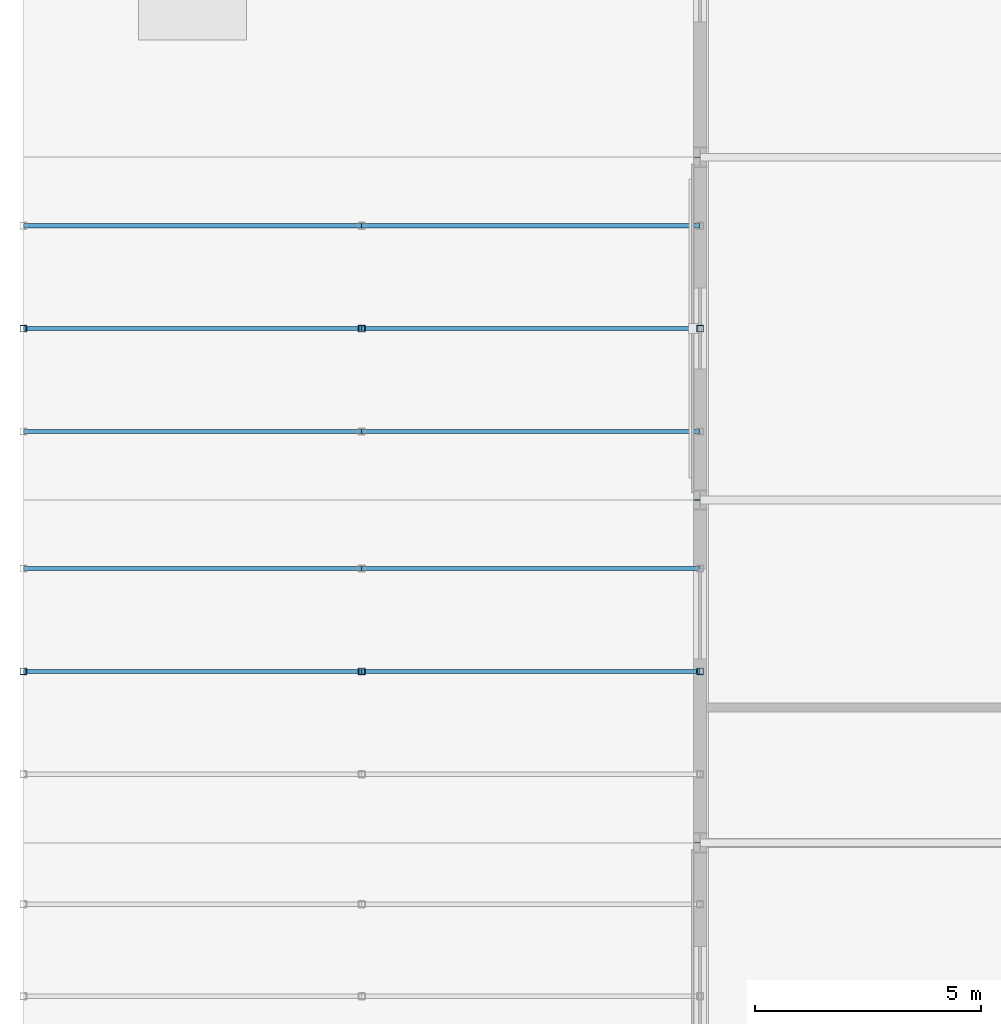
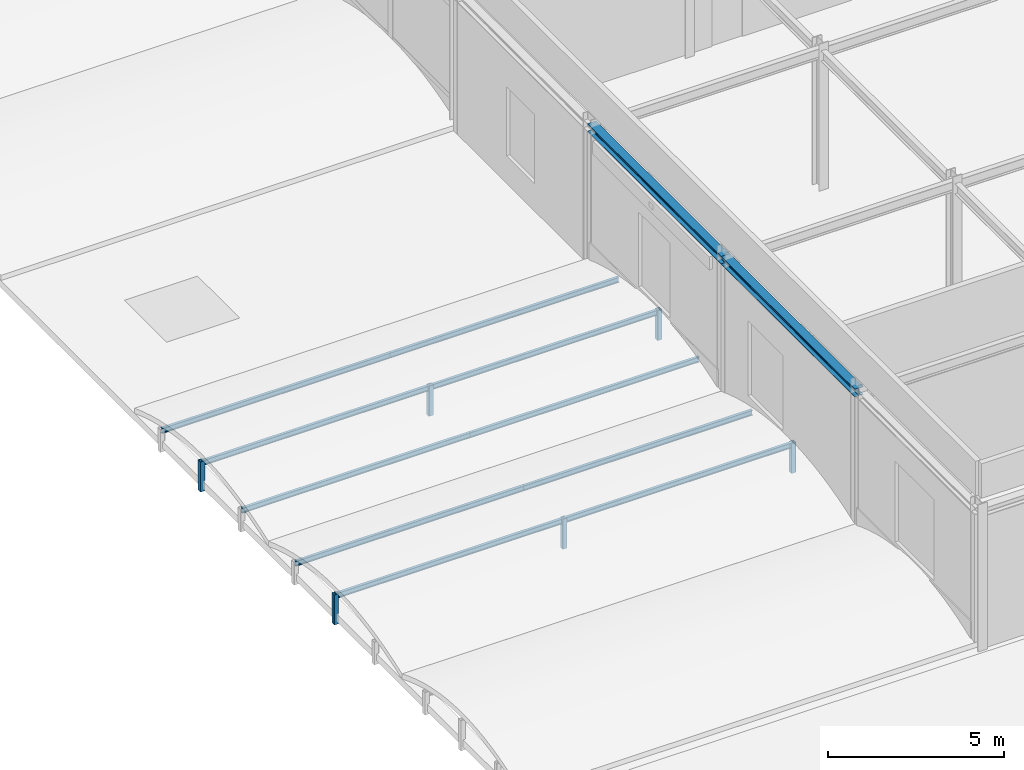
# One storey, part 17 of 113: 16 members, 2 beams.
"""IFC4 building model written with IfcOpenShell, lengths in metres."""

from ifc_helpers import new_model, si_unit, direction, frame, origin, origin_2d, place, context, subcontext, project, spatial, hollow_rectangle, i_section, extrude, material, material_profile, profile_set, type_object, element, save


model = new_model("IFC4")

# Units and contexts
model_context = context("Model", 3, precision=1e-05, world=origin(), true_north=direction((0.0, 1.0)))
body_context = subcontext(model_context, "Body", "Model", "MODEL_VIEW")
ifc_project = project(units=[si_unit("LENGTHUNIT", "METRE"), si_unit("AREAUNIT", "SQUARE_METRE"), si_unit("VOLUMEUNIT", "CUBIC_METRE"), si_unit("PLANEANGLEUNIT", "RADIAN"), si_unit("MASSUNIT", "GRAM", prefix="KILO")], contexts=[model_context])

# Site, building, storey
site_placement = place(None, origin())
site = spatial("IfcSite", under=ifc_project, at=site_placement, CompositionType="ELEMENT")
building_placement = place(site_placement, origin())
building = spatial("IfcBuilding", under=site, at=building_placement, Name="Shalkamar Park Central Library", CompositionType="ELEMENT")
storey_placement = place(building_placement, frame((0.0, 0.0, 5.39990234375)))
storey = spatial("IfcBuildingStorey", under=building, at=storey_placement, Name="L02", CompositionType="ELEMENT", Elevation=5.39990234375)

# Members
ifc_material = material(Name="Steel S355", Category="steel")
ifc_material_profile_1 = material_profile(ifc_material, hollow_rectangle(XDim=0.14990234375, YDim=0.14990234375, WallThickness=0.008056640625, InnerFilletRadius=0.008056640625, OuterFilletRadius=0.011962890625, at=origin_2d()), Name="SHS 150x150x8")
ifc_profile_set_1 = profile_set([ifc_material_profile_1], Name="Steel S355")
member_type_1 = type_object("IfcMemberType", Name="Diagonal Brace SHS150", PredefinedType="BRACE", material=ifc_profile_set_1)
for number, where, z_axis, x_axis, name in (
    (1, (120.0, 259.0, -0.35986328125), (0.0, 0.0, 1.0), (1.0, 0.0, 0.0), "Vault Arch Post BV-L01-W2-01.2"),
    (2, (127.5, 259.0, -0.35986328125), (0.0, 0.0, 1.0), (1.0, 0.0, 0.0), "Vault Arch Post BV-L01-W2-02.2"),
    (3, (135.0, 259.0, -0.35986328125), (0.0, 0.0, 1.0), (1.0, 0.0, 0.0), "Vault Arch Post BV-L01-W2-03.2"),
    (4, (120.0, 266.60009765625, -0.35986328125), (0.0, 0.0, 1.0), (1.0, 0.0, 0.0), "Vault Arch Post BV-L01-W3-01.2"),
    (5, (127.5, 266.60009765625, -0.35986328125), (0.0, 0.0, 1.0), (1.0, 0.0, 0.0), "Vault Arch Post BV-L01-W3-02.2"),
    (6, (135.0, 266.60009765625, -0.35986328125), (0.0, 0.0, 1.0), (1.0, 0.0, 0.0), "Vault Arch Post BV-L01-W3-03.2"),
):
    element("IfcMember", number, at=place(storey_placement, frame(where, z_axis=z_axis, x_axis=x_axis)), inside=storey, type_object=member_type_1, Name=name, PredefinedType="BRACE", context=body_context, shape_type="SweptSolid", body=[
        extrude(hollow_rectangle(XDim=0.14990234375, YDim=0.14990234375, WallThickness=0.008056640625, InnerFilletRadius=0.008056640625, OuterFilletRadius=0.011962890625, at=origin_2d()), origin(), (0.0, 0.0, 1.0), 1.0400390625),
    ])

# Beams
ifc_material_profile_2 = material_profile(ifc_material, i_section(OverallWidth=0.280029296875, OverallDepth=0.27001953125, WebThickness=0.008056640625, FlangeThickness=0.012939453125, FilletRadius=0.02392578125, at=origin_2d()), Name="HEA 280")
ifc_profile_set_2 = profile_set([ifc_material_profile_2], Name="Steel S355")
beam_type = type_object("IfcBeamType", Name="Perimeter Spandrel Beam HEA280", PredefinedType="SPANDREL", material=ifc_profile_set_2)
beam_1_placement = place(storey_placement, frame((135.0, 255.199951171875, 4.715087890625), z_axis=(0.0, 1.0, 0.0), x_axis=(-1.0, 0.0, 0.0)))
element("IfcBeam", 7, at=beam_1_placement, inside=storey, type_object=beam_type, Name="Beam 03:C-D (L02)", PredefinedType="SPANDREL", context=body_context, shape_type="SweptSolid", body=[
    extrude(i_section(OverallWidth=0.280029296875, OverallDepth=0.27001953125, WebThickness=0.008056640625, FlangeThickness=0.012939453125, FilletRadius=0.02392578125, at=origin_2d()), origin(), (0.0, 0.0, 1.0), 7.60009765625),
])
beam_2_placement = place(storey_placement, frame((135.0, 262.800048828125, 4.715087890625), z_axis=(0.0, 1.0, 0.0), x_axis=(-1.0, 0.0, 0.0)))
element("IfcBeam", 8, at=beam_2_placement, inside=storey, type_object=beam_type, Name="Beam 03:D-E (L02)", PredefinedType="SPANDREL", context=body_context, shape_type="SweptSolid", body=[
    extrude(i_section(OverallWidth=0.280029296875, OverallDepth=0.27001953125, WebThickness=0.008056640625, FlangeThickness=0.012939453125, FilletRadius=0.02392578125, at=origin_2d()), origin(), (0.0, 0.0, 1.0), 7.599853515625),
])

# Members
ifc_material_profile_3 = material_profile(ifc_material, i_section(OverallWidth=0.091064453125, OverallDepth=0.179931640625, WebThickness=0.00537109375, FlangeThickness=0.008056640625, FilletRadius=0.009033203125, at=origin_2d()), Name="IPE 180")
ifc_profile_set_3 = profile_set([ifc_material_profile_3], Name="Steel S355")
member_type_2 = type_object("IfcMemberType", Name="Roof Purlin IPE180", PredefinedType="PURLIN", material=ifc_profile_set_3)
for number, where, z_axis, x_axis, name in (
    (9, (120.0, 259.0, 0.590087890625), (1.0, 0.0, 0.0), (0.0, 1.0, 0.0), "Barrel Roof Purlin BV-L01-W2-2.01"),
    (10, (127.5, 259.0, 0.590087890625), (1.0, 0.0, 0.0), (0.0, 1.0, 0.0), "Barrel Roof Purlin BV-L01-W2-2.02"),
    (11, (120.0, 261.280029296875, 0.330810546875), (1.0, 0.0, 0.0), (0.0, 1.0, 0.0), "Barrel Roof Purlin BV-L01-W2-3.01"),
    (12, (127.5, 261.280029296875, 0.330810546875), (1.0, 0.0, 0.0), (0.0, 1.0, 0.0), "Barrel Roof Purlin BV-L01-W2-3.02"),
    (13, (120.0, 264.320068359375, 0.330810546875), (1.0, 0.0, 0.0), (0.0, 1.0, 0.0), "Barrel Roof Purlin BV-L01-W3-1.01"),
    (14, (127.5, 264.320068359375, 0.330810546875), (1.0, 0.0, 0.0), (0.0, 1.0, 0.0), "Barrel Roof Purlin BV-L01-W3-1.02"),
    (15, (120.0, 266.60009765625, 0.590087890625), (1.0, 0.0, 0.0), (0.0, 1.0, 0.0), "Barrel Roof Purlin BV-L01-W3-2.01"),
    (16, (127.5, 266.60009765625, 0.590087890625), (1.0, 0.0, 0.0), (0.0, 1.0, 0.0), "Barrel Roof Purlin BV-L01-W3-2.02"),
    (17, (120.0, 268.8798828125, 0.330810546875), (1.0, 0.0, 0.0), (0.0, 1.0, 0.0), "Barrel Roof Purlin BV-L01-W3-3.01"),
    (18, (127.5, 268.8798828125, 0.330810546875), (1.0, 0.0, 0.0), (0.0, 1.0, 0.0), "Barrel Roof Purlin BV-L01-W3-3.02"),
):
    element("IfcMember", number, at=place(storey_placement, frame(where, z_axis=z_axis, x_axis=x_axis)), inside=storey, type_object=member_type_2, Name=name, PredefinedType="PURLIN", context=body_context, shape_type="SweptSolid", body=[
        extrude(i_section(OverallWidth=0.091064453125, OverallDepth=0.179931640625, WebThickness=0.00537109375, FlangeThickness=0.008056640625, FilletRadius=0.009033203125, at=origin_2d()), origin(), (0.0, 0.0, 1.0), 7.5),
    ])

save(model, "model.ifc")
